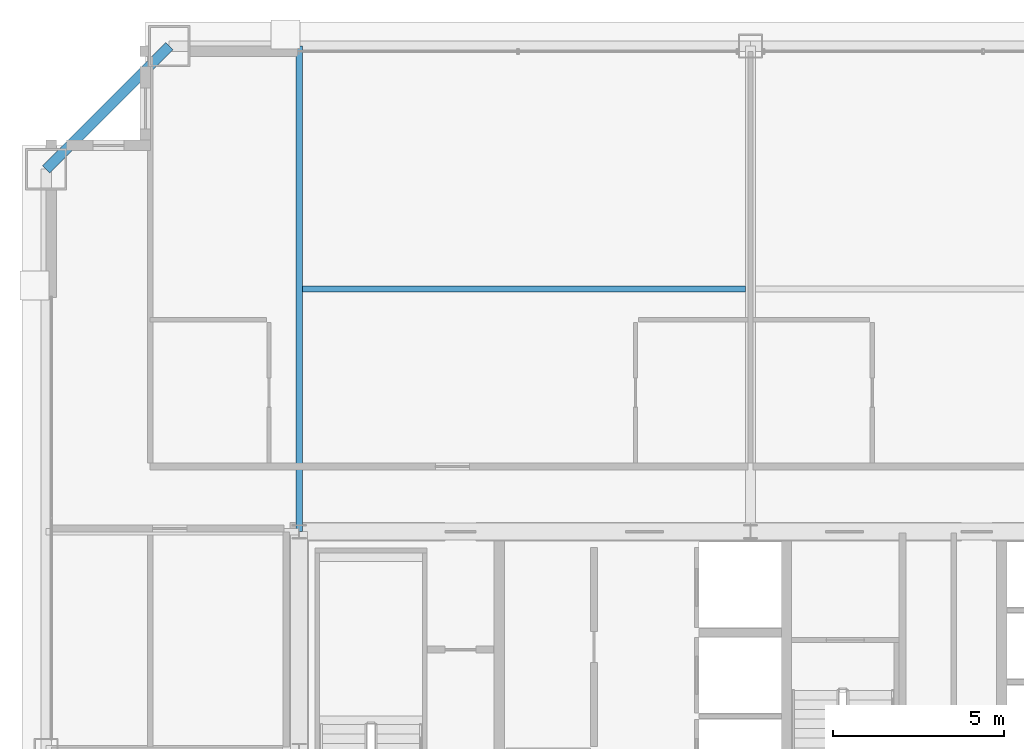
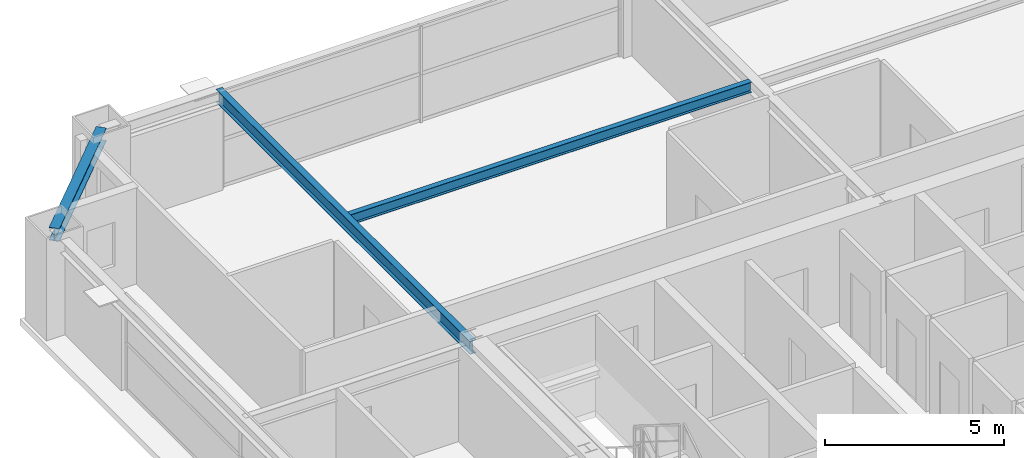
# One storey, part 23 of 36: 3 beams.
"""IFC4 building model written with IfcOpenShell, lengths in metres."""

from ifc_helpers import new_model, si_unit, direction, frame, origin, origin_2d, place, context, subcontext, project, spatial, i_section, extrude, source, transform, mapped, material, material_profile, profile_set, type_object, element, save


model = new_model("IFC4")

# Units and contexts
model_context = context("Model", 3, precision=1e-05, world=origin(), true_north=direction((0.0, 1.0)))
body_context = subcontext(model_context, "Body", "Model", "MODEL_VIEW")
ifc_project = project(units=[si_unit("LENGTHUNIT", "METRE"), si_unit("AREAUNIT", "SQUARE_METRE"), si_unit("VOLUMEUNIT", "CUBIC_METRE"), si_unit("PLANEANGLEUNIT", "RADIAN"), si_unit("MASSUNIT", "GRAM", prefix="KILO"), si_unit("THERMODYNAMICTEMPERATUREUNIT", "KELVIN"), si_unit("POWERUNIT", "WATT")], contexts=[model_context])

# Site, building, storey
site_placement = place(None, origin())
site = spatial("IfcSite", under=ifc_project, at=site_placement, CompositionType="ELEMENT")
building_placement = place(site_placement, origin())
building = spatial("IfcBuilding", under=site, at=building_placement, Name="Yuzanri Waterfront Tower", CompositionType="ELEMENT")
storey_placement = place(building_placement, frame((0.0, 0.0, 224.10009765625)))
storey = spatial("IfcBuildingStorey", under=building, at=storey_placement, Name="L59", CompositionType="ELEMENT", Elevation=224.10009765625)

# Beams
ifc_material_1 = material(Name="Steel Q355B", Category="steel")
ifc_material_profile_1 = material_profile(ifc_material_1, i_section(OverallWidth=0.300048828125, OverallDepth=0.43994140625, WebThickness=0.010986328125, FlangeThickness=0.01806640625, at=origin_2d()), Name="HM 440x300x11x18")
ifc_profile_set_1 = profile_set([ifc_material_profile_1], Name="Steel Q355B")
beam_type_1 = type_object("IfcBeamType", Name="Perimeter Spandrel Q355B HM 440x300", PredefinedType="SPANDREL", material=ifc_profile_set_1)
shared_shape_1 = source(origin(), body_context, "Body", "SweptSolid", [
    extrude(i_section(OverallWidth=0.300048828125, OverallDepth=0.43994140625, WebThickness=0.010986328125, FlangeThickness=0.01806640625, at=origin_2d()), origin(), (0.0, 0.0, 1.0), 5.091064453125),
])
beam_1_placement = place(storey_placement, frame((20.0, 46.39990234375, 3.059814453125), z_axis=(-0.707130757816, -0.707082803744, 0.0), x_axis=(0.707082803744, -0.707130757816, 0.0)))
element("IfcBeam", 1, at=beam_1_placement, inside=storey, type_object=beam_type_1, Name="L59 Perimeter Spandrel N1-W3", PredefinedType="SPANDREL", context=body_context, shape_type="MappedRepresentation", body=[
    mapped(shared_shape_1, transform((0.0, 0.0, 0.0), scale=1.0)),
])
ifc_material_2 = material(Name="Steel Q355B", Category="steel")
ifc_material_profile_2 = material_profile(ifc_material_2, i_section(OverallWidth=0.199951171875, OverallDepth=0.449951171875, WebThickness=0.009033203125, FlangeThickness=0.013916015625, at=origin_2d()), Name="HN 450x200x9x14")
ifc_profile_set_2 = profile_set([ifc_material_profile_2], Name="Steel Q355B")
beam_type_2 = type_object("IfcBeamType", Name="Secondary Floor Beam Q355B HN 450x200", PredefinedType="BEAM", material=ifc_profile_set_2)
shared_shape_2 = source(origin(), body_context, "Body", "SweptSolid", [
    extrude(i_section(OverallWidth=0.199951171875, OverallDepth=0.449951171875, WebThickness=0.009033203125, FlangeThickness=0.013916015625, at=origin_2d()), origin(), (0.0, 0.0, 1.0), 14.199951171875),
])
beam_2_placement = place(storey_placement, frame((23.800048828125, 32.199951171875, 3.054931640625), z_axis=(0.0, 1.0, 0.0), x_axis=(-1.0, 0.0, 0.0)))
element("IfcBeam", 2, at=beam_2_placement, inside=storey, type_object=beam_type_2, Name="L59 North-West Core Line Beam", PredefinedType="BEAM", context=body_context, shape_type="MappedRepresentation", body=[
    mapped(shared_shape_2, transform((0.0, 0.0, 0.0), scale=1.0)),
])
ifc_material_3 = material(Name="Steel Q355B", Category="steel")
ifc_material_profile_3 = material_profile(ifc_material_3, i_section(OverallWidth=0.175048828125, OverallDepth=0.35009765625, WebThickness=0.007080078125, FlangeThickness=0.010986328125, at=origin_2d()), Name="HN 350x175x7x11")
ifc_profile_set_3 = profile_set([ifc_material_profile_3], Name="Steel Q355B")
beam_type_3 = type_object("IfcBeamType", Name="Floor Joist Q355B HN 350x175", PredefinedType="JOIST", material=ifc_profile_set_3)
shared_shape_3 = source(origin(), body_context, "Body", "SweptSolid", [
    extrude(i_section(OverallWidth=0.175048828125, OverallDepth=0.35009765625, WebThickness=0.007080078125, FlangeThickness=0.010986328125, at=origin_2d()), origin(), (0.0, 0.0, 1.0), 12.9501953125),
])
beam_3_placement = place(storey_placement, frame((23.89990234375, 39.300048828125, 3.10498046875), z_axis=(1.0, 0.0, 0.0), x_axis=(0.0, 1.0, 0.0)))
element("IfcBeam", 3, at=beam_3_placement, inside=storey, type_object=beam_type_3, Name="L59 North Bay Joist W", PredefinedType="JOIST", context=body_context, shape_type="MappedRepresentation", body=[
    mapped(shared_shape_3, transform((0.0, 0.0, 0.0), scale=1.0)),
])

save(model, "model.ifc")
